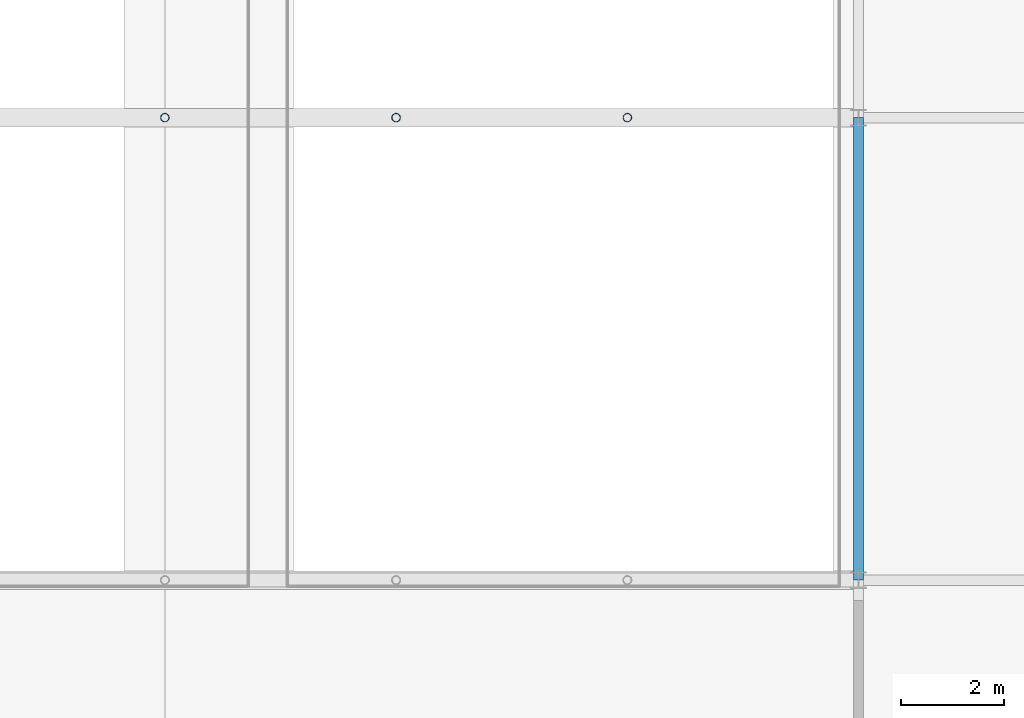
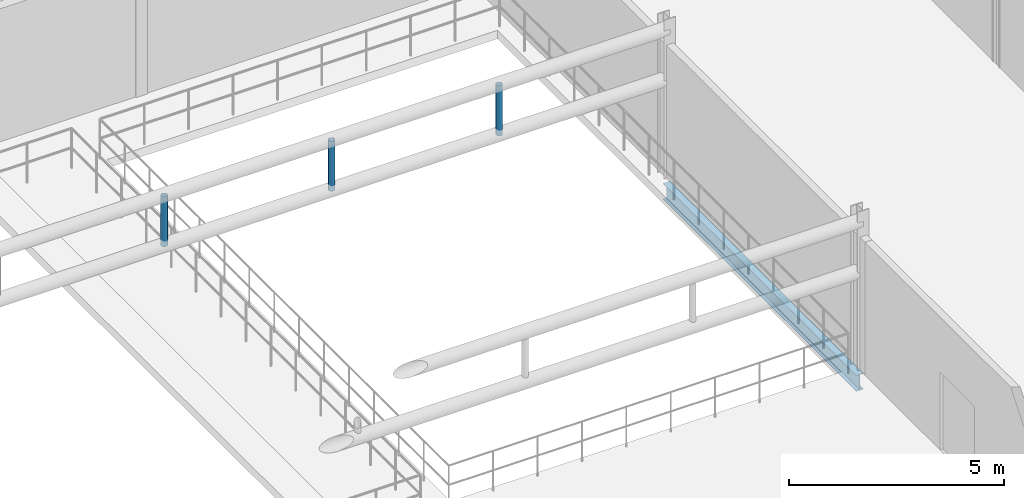
# One storey, part 65 of 140: 3 members, 1 beam.
"""IFC4 building model written with IfcOpenShell, lengths in metres."""

from ifc_helpers import new_model, si_unit, direction, frame, origin, origin_2d, place, context, subcontext, project, spatial, hollow_circle, i_section, extrude, material, material_profile, profile_set, type_object, element, save


model = new_model("IFC4")

# Units and contexts
model_context = context("Model", 3, precision=1e-05, world=origin(), true_north=direction((0.0, 1.0)))
body_context = subcontext(model_context, "Body", "Model", "MODEL_VIEW")
ifc_project = project(units=[si_unit("LENGTHUNIT", "METRE"), si_unit("AREAUNIT", "SQUARE_METRE"), si_unit("VOLUMEUNIT", "CUBIC_METRE"), si_unit("PLANEANGLEUNIT", "RADIAN"), si_unit("MASSUNIT", "GRAM", prefix="KILO"), si_unit("THERMODYNAMICTEMPERATUREUNIT", "KELVIN"), si_unit("POWERUNIT", "WATT")], contexts=[model_context])

# Site, building, storey
site_placement = place(None, origin())
site = spatial("IfcSite", under=ifc_project, at=site_placement, CompositionType="ELEMENT")
building_placement = place(site_placement, origin())
building = spatial("IfcBuilding", under=site, at=building_placement, Name="Tallowbark Science Centre", CompositionType="ELEMENT")
storey_placement = place(building_placement, frame((0.0, 0.0, 9.89990234375)))
storey = spatial("IfcBuildingStorey", under=building, at=storey_placement, Name="L02", CompositionType="ELEMENT", Elevation=9.89990234375)

# Beam
ifc_material_1 = material(Name="Structural Steel Grade 300PLUS (300 MPa)", Category="steel")
ifc_material_profile_1 = material_profile(ifc_material_1, i_section(OverallWidth=0.18994140625, OverallDepth=0.453857421875, WebThickness=0.008544921875, FlangeThickness=0.0126953125, FilletRadius=0.011474609375, at=origin_2d()), Name="460UB67.1")
ifc_profile_set_1 = profile_set([ifc_material_profile_1], Name="Structural Steel Grade 300PLUS (300 MPa)")
beam_type = type_object("IfcBeamType", Name="SPN-UB460", PredefinedType="SPANDREL", material=ifc_profile_set_1)
beam_placement = place(storey_placement, frame((148.5, 18.0, -0.471923828125), z_axis=(0.0, 1.0, 0.0), x_axis=(-1.0, 0.0, 0.0)))
element("IfcBeam", 1, at=beam_placement, inside=storey, type_object=beam_type, Name="Primary Girder GRDY-L02-1485-180-270", PredefinedType="SPANDREL", context=body_context, shape_type="SweptSolid", body=[
    extrude(i_section(OverallWidth=0.18994140625, OverallDepth=0.453857421875, WebThickness=0.008544921875, FlangeThickness=0.0126953125, FilletRadius=0.011474609375, at=origin_2d()), origin(), (0.0, 0.0, 1.0), 9.0),
])

# Members
ifc_material_2 = material(Name="White Architectural Painted Steel Grade C350L0 (350 MPa)", Category="steel")
ifc_material_profile_2 = material_profile(ifc_material_2, hollow_circle(Radius=0.084228515625, WallThickness=0.007080078125, at=origin_2d()), Name="168.3x7.1CHS")
ifc_profile_set_2 = profile_set([ifc_material_profile_2], Name="White Architectural Painted Steel Grade C350L0 (350 MPa)")
member_type = type_object("IfcMemberType", Name="TR-WEB168", PredefinedType="BRACE", material=ifc_profile_set_2)
for number, where, z_axis, x_axis, name in (
    (2, (135.0, 27.0, 2.7001953125), (0.0, 0.0, 1.0), (1.0, 0.0, 0.0), "Theatre Truss Web 2-135"),
    (3, (139.5, 27.0, 2.7001953125), (0.0, 0.0, 1.0), (1.0, 0.0, 0.0), "Theatre Truss Web 2-139.5"),
    (4, (144.0, 27.0, 2.7001953125), (0.0, 0.0, 1.0), (1.0, 0.0, 0.0), "Theatre Truss Web 2-144"),
):
    element("IfcMember", number, at=place(storey_placement, frame(where, z_axis=z_axis, x_axis=x_axis)), inside=storey, type_object=member_type, Name=name, PredefinedType="BRACE", context=body_context, shape_type="SweptSolid", body=[
        extrude(hollow_circle(Radius=0.084228515625, WallThickness=0.007080078125, at=origin_2d()), origin(), (0.0, 0.0, 1.0), 1.419921875),
    ])

save(model, "model.ifc")
